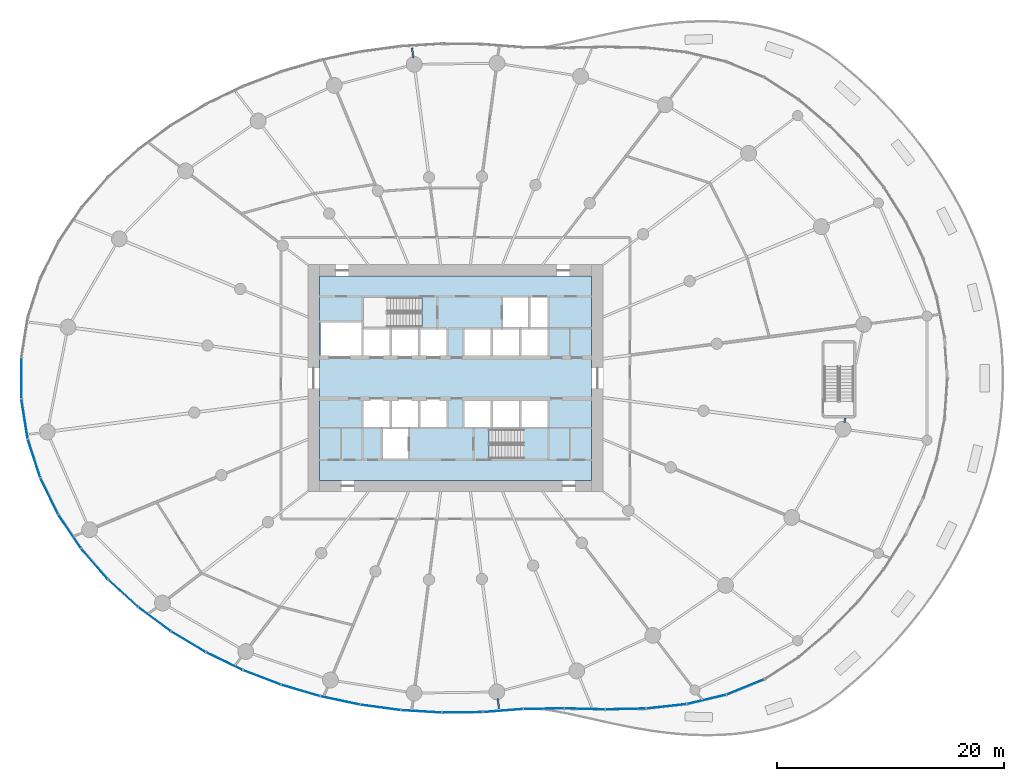
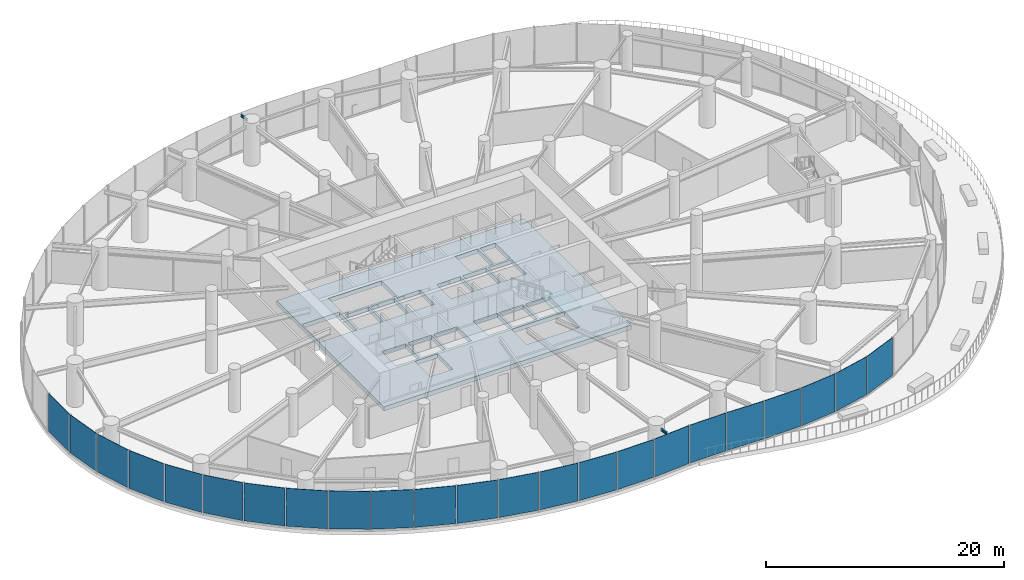
# One storey, part 8 of 19: 23 plates, 3 beams, 2 slabs, 5 elements without a shape of their own.
"""IFC4 building model written with IfcOpenShell, lengths in metres."""

from ifc_helpers import new_model, si_unit, direction, frame, origin, origin_2d, place, context, subcontext, project, spatial, line, indexed_curve, rectangle, i_section, outline, extrude, source, transform, mapped, material, layer, layer_set, material_profile, profile_set, type_object, element, aggregate, save


model = new_model("IFC4")

# Units and contexts
model_context = context("Model", 3, precision=1e-05, world=origin(), true_north=direction((0.0, 1.0)))
body_context = subcontext(model_context, "Body", "Model", "MODEL_VIEW")
ifc_project = project(units=[si_unit("LENGTHUNIT", "METRE"), si_unit("AREAUNIT", "SQUARE_METRE"), si_unit("VOLUMEUNIT", "CUBIC_METRE"), si_unit("PLANEANGLEUNIT", "RADIAN"), si_unit("MASSUNIT", "GRAM", prefix="KILO")], contexts=[model_context])

# Site, building, storey
site_placement = place(None, origin())
site = spatial("IfcSite", under=ifc_project, at=site_placement, CompositionType="ELEMENT")
building_placement = place(site_placement, origin())
building = spatial("IfcBuilding", under=site, at=building_placement, Name="Spindrift Exchange Tower", CompositionType="ELEMENT")
storey_placement = place(building_placement, frame((0.0, 0.0, 13.800048828125)))
storey = spatial("IfcBuildingStorey", under=building, at=storey_placement, Name="L03", CompositionType="ELEMENT", Elevation=13.800048828125)

# Beams
ifc_material_1 = material(Name="Steel Grade 300", Category="steel")
ifc_material_profile_1 = material_profile(ifc_material_1, i_section(OverallWidth=0.14599609375, OverallDepth=0.251953125, WebThickness=0.006103515625, FlangeThickness=0.008544921875, FilletRadius=0.011962890625, at=origin_2d()), Name="250UB31.4")
ifc_profile_set_1 = profile_set([ifc_material_profile_1], Name="Steel Grade 300")
beam_type_1 = type_object("IfcBeamType", Name="Cantilever Beam 250UB31.4 Steel Grade 300", PredefinedType="BEAM", material=ifc_profile_set_1)
shared_shape_1 = source(origin(), body_context, "Body", "SweptSolid", [
    extrude(i_section(OverallWidth=0.14599609375, OverallDepth=0.251953125, WebThickness=0.006103515625, FlangeThickness=0.008544921875, FilletRadius=0.011962890625, at=origin_2d()), origin(), (0.0, 0.0, 1.0), 0.892333984375),
])
for number, where, z_axis, x_axis, name in (
    (1, (48.28271484375, 76.236328125, 3.924072265625), (-0.13049697393, 0.991448707597, 0.0), (-0.991448707597, -0.13049697393, 0.0), "L03 cantilever beam R07T"),
    (2, (55.71728515625, 19.763671875, 3.924072265625), (0.13049697393, -0.991448707597, 0.0), (0.991448707597, 0.13049697393, 0.0), "L03 cantilever beam R19T"),
):
    element("IfcBeam", number, at=place(storey_placement, frame(where, z_axis=z_axis, x_axis=x_axis)), inside=storey, type_object=beam_type_1, Name=name, PredefinedType="BEAM", context=body_context, shape_type="MappedRepresentation", body=[
        mapped(shared_shape_1, transform((0.0, 0.0, 0.0), scale=1.0)),
    ])
ifc_material_profile_2 = material_profile(ifc_material_1, i_section(OverallWidth=0.14599609375, OverallDepth=0.251953125, WebThickness=0.006103515625, FlangeThickness=0.008544921875, FilletRadius=0.011962890625, at=origin_2d()), Name="250UB31.4")
ifc_profile_set_2 = profile_set([ifc_material_profile_2], Name="Steel Grade 300")
beam_type_2 = type_object("IfcBeamType", Name="Edge Beam 250UB31.4 Steel Grade 300", PredefinedType="SPANDREL", material=ifc_profile_set_2)
shared_shape_2 = source(origin(), body_context, "Body", "SweptSolid", [
    extrude(i_section(OverallWidth=0.14599609375, OverallDepth=0.251953125, WebThickness=0.006103515625, FlangeThickness=0.008544921875, FilletRadius=0.011962890625, at=origin_2d()), origin(), (0.0, 0.0, 1.0), 0.4169921875),
])
beam_placement = place(storey_placement, frame((86.27392578125, 44.071533203125, 3.924072265625), z_axis=(0.194426549489, 0.9809170795, 0.0), x_axis=(-0.9809170795, 0.194426549489, 0.0)))
element("IfcBeam", 3, at=beam_placement, inside=storey, type_object=beam_type_2, Name="L03 edge beam E24a", PredefinedType="SPANDREL", context=body_context, shape_type="MappedRepresentation", body=[
    mapped(shared_shape_2, transform((0.0, 0.0, 0.0), scale=1.0)),
])

# Slab
ifc_material_2 = material(Name="Concrete 50 MPa", Category="concrete")
ifc_layer_1 = layer(ifc_material_2, 0.449951171875)
ifc_layer_set_1 = layer_set([ifc_layer_1], Name="SL-CORE-FLOOR-450")
slab_type_1 = type_object("IfcSlabType", Name="SL-CORE-FLOOR-450", PredefinedType="FLOOR", material=ifc_layer_set_1)
slab_1_placement = place(storey_placement, frame((0.0, 0.0, -0.449951171875)))
element("IfcSlab", 4, at=slab_1_placement, inside=storey, type_object=slab_type_1, Name="L03 Core floor slab", PredefinedType="FLOOR", context=body_context, shape_type="SweptSolid", body=[
    extrude(outline(indexed_curve([(40.0, 39.0), (40.0, 57.0), (64.0, 57.0), (64.0, 39.0)], segments=[line(1, 2, 3, 4, 1)], self_intersect=False), holes=[indexed_curve([(47.800048828125, 43.5), (45.60009765625, 43.5), (45.60009765625, 40.89990234375), (47.800048828125, 40.89990234375)], segments=[line(1, 2, 3, 4, 1)], self_intersect=False), indexed_curve([(46.199951171875, 46.10009765625), (43.89990234375, 46.10009765625), (43.89990234375, 43.699951171875), (46.199951171875, 43.699951171875)], segments=[line(1, 2, 3, 4, 1)], self_intersect=False), indexed_curve([(48.699951171875, 46.10009765625), (46.39990234375, 46.10009765625), (46.39990234375, 43.699951171875), (48.699951171875, 43.699951171875)], segments=[line(1, 2, 3, 4, 1)], self_intersect=False), indexed_curve([(51.199951171875, 46.10009765625), (48.89990234375, 46.10009765625), (48.89990234375, 43.699951171875), (51.199951171875, 43.699951171875)], segments=[line(1, 2, 3, 4, 1)], self_intersect=False), indexed_curve([(46.199951171875, 52.300048828125), (43.89990234375, 52.300048828125), (43.89990234375, 49.89990234375), (46.199951171875, 49.89990234375)], segments=[line(1, 2, 3, 4, 1)], self_intersect=False), indexed_curve([(48.699951171875, 52.300048828125), (46.39990234375, 52.300048828125), (46.39990234375, 49.89990234375), (48.699951171875, 49.89990234375)], segments=[line(1, 2, 3, 4, 1)], self_intersect=False), indexed_curve([(51.199951171875, 52.300048828125), (48.89990234375, 52.300048828125), (48.89990234375, 49.89990234375), (51.199951171875, 49.89990234375)], segments=[line(1, 2, 3, 4, 1)], self_intersect=False), indexed_curve([(55.10009765625, 49.89990234375), (55.10009765625, 52.300048828125), (52.800048828125, 52.300048828125), (52.800048828125, 49.89990234375)], segments=[line(1, 2, 3, 4, 1)], self_intersect=False), indexed_curve([(43.699951171875, 49.89990234375), (43.699951171875, 52.89990234375), (40.10009765625, 52.89990234375), (40.10009765625, 49.89990234375)], segments=[line(1, 2, 3, 4, 1)], self_intersect=False), indexed_curve([(43.906005859375, 55.093994140625), (43.906005859375, 52.506103515625), (49.0439453125, 52.506103515625), (49.0439453125, 55.093994140625)], segments=[line(1, 2, 3, 4, 1)], self_intersect=False), indexed_curve([(60.093994140625, 40.906005859375), (60.093994140625, 43.493896484375), (54.9560546875, 43.493896484375), (54.9560546875, 40.906005859375)], segments=[line(1, 2, 3, 4, 1)], self_intersect=False), indexed_curve([(55.10009765625, 46.10009765625), (52.800048828125, 46.10009765625), (52.800048828125, 43.699951171875), (55.10009765625, 43.699951171875)], segments=[line(1, 2, 3, 4, 1)], self_intersect=False), indexed_curve([(57.60009765625, 43.699951171875), (57.60009765625, 46.10009765625), (55.300048828125, 46.10009765625), (55.300048828125, 43.699951171875)], segments=[line(1, 2, 3, 4, 1)], self_intersect=False), indexed_curve([(60.10009765625, 43.699951171875), (60.10009765625, 46.10009765625), (57.800048828125, 46.10009765625), (57.800048828125, 43.699951171875)], segments=[line(1, 2, 3, 4, 1)], self_intersect=False), indexed_curve([(57.60009765625, 52.300048828125), (55.300048828125, 52.300048828125), (55.300048828125, 49.89990234375), (57.60009765625, 49.89990234375)], segments=[line(1, 2, 3, 4, 1)], self_intersect=False), indexed_curve([(60.10009765625, 52.300048828125), (57.800048828125, 52.300048828125), (57.800048828125, 49.89990234375), (60.10009765625, 49.89990234375)], segments=[line(1, 2, 3, 4, 1)], self_intersect=False), indexed_curve([(58.39990234375, 52.5), (58.39990234375, 55.10009765625), (56.199951171875, 55.10009765625), (56.199951171875, 52.5)], segments=[line(1, 2, 3, 4, 1)], self_intersect=False), indexed_curve([(60.10009765625, 52.5), (60.10009765625, 55.10009765625), (58.60009765625, 55.10009765625), (58.60009765625, 52.5)], segments=[line(1, 2, 3, 4, 1)], self_intersect=False)]), origin(), (0.0, 0.0, 1.0), 0.449951171875),
])

# Stair, slab
stair_type = type_object("IfcStairType", Name="ST-1250-R183", PredefinedType="HALF_TURN_STAIR", material=ifc_material_2)
stair_placement = place(storey_placement, origin())
stair = element("IfcStair", 5, at=stair_placement, inside=storey, type_object=stair_type, Name="L03 Exit stair ST2", PredefinedType="HALF_TURN_STAIR")
ifc_layer_2 = layer(ifc_material_2, 0.199951171875)
ifc_layer_set_2 = layer_set([ifc_layer_2], Name="SL-LANDING")
slab_type_2 = type_object("IfcSlabType", Name="SL-LANDING", PredefinedType="LANDING", material=ifc_layer_set_2)
slab_2_placement = place(storey_placement, frame((0.0, 0.0, 2.0)))
slab_2 = element("IfcSlab", 6, at=slab_2_placement, type_object=slab_type_2, Name="ST2 landing 1", PredefinedType="LANDING", context=body_context, shape_type="SweptSolid", body=[
    extrude(outline(indexed_curve([(57.949951171875, 43.60009765625), (60.199951171875, 43.60009765625), (60.199951171875, 40.800048828125), (57.949951171875, 40.800048828125)], segments=[line(1, 2, 3, 4, 1)], self_intersect=False)), origin(), (0.0, 0.0, 1.0), 0.199951171875),
])
aggregate(stair, [slab_2])

# Curtain wall, plate
ifc_material_3 = material(Name="Fritted laminated glass with bronze frame", Category="glass")
ifc_layer_3 = layer(ifc_material_3, 0.219970703125)
ifc_layer_set_3 = layer_set([ifc_layer_3], Name="PODIUM BRONZE GLAZED WALL")
curtain_wall_type = type_object("IfcCurtainWallType", Name="PODIUM BRONZE GLAZED WALL", PredefinedType="NOTDEFINED", material=ifc_layer_set_3)
curtain_wall_1_placement = place(storey_placement, origin())
curtain_wall_1 = element("IfcCurtainWall", 7, at=curtain_wall_1_placement, inside=storey, type_object=curtain_wall_type, Name="L03 Podium Bronze Glazed Wall run 7", PredefinedType="NOTDEFINED")
ifc_material_4 = material(Name="Bronze fritted laminated glass, dense frit", Category="glass")
ifc_layer_4 = layer(ifc_material_4, 0.0400390625)
ifc_layer_set_4 = layer_set([ifc_layer_4], Name="PODIUM BRONZE GLAZED WALL PANEL DENSE FRIT 420")
plate_type_1 = type_object("IfcPlateType", Name="PODIUM BRONZE GLAZED WALL PANEL DENSE FRIT 420", PredefinedType="CURTAIN_PANEL", material=ifc_layer_set_4)
shared_shape_3 = source(origin(), body_context, "Body", "SweptSolid", [
    extrude(rectangle(XDim=3.515380859375, YDim=0.0400390625, at=origin_2d()), origin(), (0.0, 0.0, 1.0), 3.889892578125),
])
plate_1_placement = place(storey_placement, frame((28.460205078125, 24.76123046875, 0.16015625), z_axis=(0.0, 0.0, 1.0), x_axis=(0.857710663907, -0.514132684257, 0.0)))
plate_1 = element("IfcPlate", 8, at=plate_1_placement, type_object=plate_type_1, Name="L03 panel CW-P.40", PredefinedType="CURTAIN_PANEL", context=body_context, shape_type="MappedRepresentation", body=[
    mapped(shared_shape_3, transform((0.0, 0.0, 0.0), scale=1.0)),
])

curtain_wall_2_placement = place(storey_placement, origin())
curtain_wall_2 = element("IfcCurtainWall", 9, at=curtain_wall_2_placement, inside=storey, type_object=curtain_wall_type, Name="L03 Podium Bronze Glazed Wall run 8", PredefinedType="NOTDEFINED")
shared_shape_4 = source(origin(), body_context, "Body", "SweptSolid", [
    extrude(rectangle(XDim=3.515869140625, YDim=0.0400390625, at=origin_2d()), origin(), (0.0, 0.0, 1.0), 3.889892578125),
])
plate_2_placement = place(storey_placement, frame((48.98046875, 18.625, 0.16015625), z_axis=(0.0, 0.0, 1.0), x_axis=(0.998153822126, -0.06073670534, 0.0)))
plate_2 = element("IfcPlate", 10, at=plate_2_placement, type_object=plate_type_1, Name="L03 panel CW-P.46", PredefinedType="CURTAIN_PANEL", context=body_context, shape_type="MappedRepresentation", body=[
    mapped(shared_shape_4, transform((0.0, 0.0, 0.0), scale=1.0)),
])

# Curtain wall, plates
curtain_wall_3_placement = place(storey_placement, origin())
curtain_wall_3 = element("IfcCurtainWall", 11, at=curtain_wall_3_placement, inside=storey, type_object=curtain_wall_type, Name="L03 Podium Bronze Glazed Wall run 9", PredefinedType="NOTDEFINED")
ifc_layer_5 = layer(ifc_material_4, 0.0400390625)
ifc_layer_set_5 = layer_set([ifc_layer_5], Name="PODIUM BRONZE GLAZED WALL PANEL DENSE FRIT 180")
plate_type_2 = type_object("IfcPlateType", Name="PODIUM BRONZE GLAZED WALL PANEL DENSE FRIT 180", PredefinedType="CURTAIN_PANEL", material=ifc_layer_set_5)
shared_shape_5 = source(origin(), body_context, "Body", "SweptSolid", [
    extrude(rectangle(XDim=3.5166015625, YDim=0.0400390625, at=origin_2d()), origin(), (0.0, 0.0, 1.0), 3.889892578125),
])
plate_3_placement = place(storey_placement, frame((63.388671875, 18.8427734375, 0.16015625), z_axis=(0.0, 0.0, 1.0), x_axis=(0.999751480441, -0.022292988933, 0.0)))
plate_3 = element("IfcPlate", 12, at=plate_3_placement, type_object=plate_type_2, Name="L03 panel CW-P.50", PredefinedType="CURTAIN_PANEL", context=body_context, shape_type="MappedRepresentation", body=[
    mapped(shared_shape_5, transform((0.0, 0.0, 0.0), scale=1.0)),
])
shared_shape_6 = source(origin(), body_context, "Body", "SweptSolid", [
    extrude(rectangle(XDim=3.515869140625, YDim=0.0400390625, at=origin_2d()), origin(), (0.0, 0.0, 1.0), 3.889892578125),
])
plate_4_placement = place(storey_placement, frame((66.994140625, 18.837890625, 0.16015625), z_axis=(0.0, 0.0, 1.0), x_axis=(0.999808301304, 0.019579597654, 0.0)))
plate_4 = element("IfcPlate", 13, at=plate_4_placement, type_object=plate_type_2, Name="L03 panel CW-P.51", PredefinedType="CURTAIN_PANEL", context=body_context, shape_type="MappedRepresentation", body=[
    mapped(shared_shape_6, transform((0.0, 0.0, 0.0), scale=1.0)),
])

# Plate
shared_shape_7 = source(origin(), body_context, "Body", "SweptSolid", [
    extrude(rectangle(XDim=3.515625, YDim=0.0400390625, at=origin_2d()), origin(), (0.0, 0.0, 1.0), 3.889892578125),
])
plate_5_placement = place(storey_placement, frame((41.843505859375, 19.58837890625, 0.16015625), z_axis=(0.0, 0.0, 1.0), x_axis=(0.978380312938, -0.206813837196, 0.0)))
plate_5 = element("IfcPlate", 14, at=plate_5_placement, type_object=plate_type_1, Name="L03 panel CW-P.44", PredefinedType="CURTAIN_PANEL", context=body_context, shape_type="MappedRepresentation", body=[
    mapped(shared_shape_7, transform((0.0, 0.0, 0.0), scale=1.0)),
])

plate_6_placement = place(storey_placement, frame((52.582763671875, 18.53662109375, 0.16015625), z_axis=(0.0, 0.0, 1.0), x_axis=(0.999931179666, 0.011731834095, 0.0)))
plate_6 = element("IfcPlate", 15, at=plate_6_placement, type_object=plate_type_1, Name="L03 panel CW-P.47", PredefinedType="CURTAIN_PANEL", context=body_context, shape_type="MappedRepresentation", body=[
    mapped(shared_shape_7, transform((0.0, 0.0, 0.0), scale=1.0)),
])

shared_shape_8 = source(origin(), body_context, "Body", "SweptSolid", [
    extrude(rectangle(XDim=3.515625, YDim=0.0400390625, at=origin_2d()), origin(), (0.0, 0.0, 1.0), 3.889892578125),
])
plate_7_placement = place(storey_placement, frame((38.349853515625, 20.46923828125, 0.16015625), z_axis=(0.0, 0.0, 1.0), x_axis=(0.959495119257, -0.281725249352, 0.0)))
plate_7 = element("IfcPlate", 16, at=plate_7_placement, type_object=plate_type_2, Name="L03 panel CW-P.43", PredefinedType="CURTAIN_PANEL", context=body_context, shape_type="MappedRepresentation", body=[
    mapped(shared_shape_8, transform((0.0, 0.0, 0.0), scale=1.0)),
])

plate_8_placement = place(storey_placement, frame((45.39404296875, 18.97509765625, 0.16015625), z_axis=(0.0, 0.0, 1.0), x_axis=(0.991058808668, -0.133425776228, 0.0)))
plate_8 = element("IfcPlate", 17, at=plate_8_placement, type_object=plate_type_2, Name="L03 panel CW-P.45", PredefinedType="CURTAIN_PANEL", context=body_context, shape_type="MappedRepresentation", body=[
    mapped(shared_shape_8, transform((0.0, 0.0, 0.0), scale=1.0)),
])

ifc_layer_6 = layer(ifc_material_4, 0.0400390625)
ifc_layer_set_6 = layer_set([ifc_layer_6], Name="PODIUM BRONZE GLAZED WALL PANEL DENSE FRIT 300")
plate_type_3 = type_object("IfcPlateType", Name="PODIUM BRONZE GLAZED WALL PANEL DENSE FRIT 300", PredefinedType="CURTAIN_PANEL", material=ifc_layer_set_6)
shared_shape_9 = source(origin(), body_context, "Body", "SweptSolid", [
    extrude(rectangle(XDim=3.515380859375, YDim=0.0400390625, at=origin_2d()), origin(), (0.0, 0.0, 1.0), 3.889892578125),
])
plate_9_placement = place(storey_placement, frame((31.629638671875, 23.0498046875, 0.16015625), z_axis=(0.0, 0.0, 1.0), x_axis=(0.900343077888, -0.435180815408, 0.0)))
plate_9 = element("IfcPlate", 18, at=plate_9_placement, type_object=plate_type_3, Name="L03 panel CW-P.41", PredefinedType="CURTAIN_PANEL", context=body_context, shape_type="MappedRepresentation", body=[
    mapped(shared_shape_9, transform((0.0, 0.0, 0.0), scale=1.0)),
])

plate_10_placement = place(storey_placement, frame((59.783203125, 18.859619140625, 0.16015625), z_axis=(0.0, 0.0, 1.0), x_axis=(0.999916461609, 0.012925548502, 0.0)))
plate_10 = element("IfcPlate", 19, at=plate_10_placement, type_object=plate_type_3, Name="L03 panel CW-P.49", PredefinedType="CURTAIN_PANEL", context=body_context, shape_type="MappedRepresentation", body=[
    mapped(shared_shape_9, transform((0.0, 0.0, 0.0), scale=1.0)),
])

shared_shape_10 = source(origin(), body_context, "Body", "SweptSolid", [
    extrude(rectangle(XDim=3.515380859375, YDim=0.0400390625, at=origin_2d()), origin(), (0.0, 0.0, 1.0), 3.889892578125),
])
plate_11_placement = place(storey_placement, frame((34.936279296875, 21.62109375, 0.16015625), z_axis=(0.0, 0.0, 1.0), x_axis=(0.933984510313, -0.3573134961, 0.0)))
plate_11 = element("IfcPlate", 20, at=plate_11_placement, type_object=plate_type_2, Name="L03 panel CW-P.42", PredefinedType="CURTAIN_PANEL", context=body_context, shape_type="MappedRepresentation", body=[
    mapped(shared_shape_10, transform((0.0, 0.0, 0.0), scale=1.0)),
])

shared_shape_11 = source(origin(), body_context, "Body", "SweptSolid", [
    extrude(rectangle(XDim=3.514892578125, YDim=0.0400390625, at=origin_2d()), origin(), (0.0, 0.0, 1.0), 3.889892578125),
])
plate_12_placement = place(storey_placement, frame((22.685302734375, 29.04736328125, 0.16015625), z_axis=(0.0, 0.0, 1.0), x_axis=(0.737798291666, -0.675021244713, 0.0)))
plate_12 = element("IfcPlate", 21, at=plate_12_placement, type_object=plate_type_3, Name="L03 panel CW-P.38", PredefinedType="CURTAIN_PANEL", context=body_context, shape_type="MappedRepresentation", body=[
    mapped(shared_shape_11, transform((0.0, 0.0, 0.0), scale=1.0)),
])

plate_13_placement = place(storey_placement, frame((25.464599609375, 26.759521484375, 0.16015625), z_axis=(0.0, 0.0, 1.0), x_axis=(0.804168198895, -0.594401806766, 0.0)))
plate_13 = element("IfcPlate", 22, at=plate_13_placement, type_object=plate_type_3, Name="L03 panel CW-P.39", PredefinedType="CURTAIN_PANEL", context=body_context, shape_type="MappedRepresentation", body=[
    mapped(shared_shape_11, transform((0.0, 0.0, 0.0), scale=1.0)),
])

plate_14_placement = place(storey_placement, frame((70.588134765625, 19.070556640625, 0.16015625), z_axis=(0.0, 0.0, 1.0), x_axis=(0.993984489819, 0.109520929501, 0.0)))
plate_14 = element("IfcPlate", 23, at=plate_14_placement, type_object=plate_type_3, Name="L03 panel CW-P.52", PredefinedType="CURTAIN_PANEL", context=body_context, shape_type="MappedRepresentation", body=[
    mapped(shared_shape_11, transform((0.0, 0.0, 0.0), scale=1.0)),
])

# Curtain wall, plates
curtain_wall_4_placement = place(storey_placement, origin())
curtain_wall_4 = element("IfcCurtainWall", 24, at=curtain_wall_4_placement, inside=storey, type_object=curtain_wall_type, Name="L03 Podium Bronze Glazed Wall run 6", PredefinedType="NOTDEFINED")
shared_shape_12 = source(origin(), body_context, "Body", "SweptSolid", [
    extrude(rectangle(XDim=3.513916015625, YDim=0.0400390625, at=origin_2d()), origin(), (0.0, 0.0, 1.0), 3.889892578125),
])
plate_15_placement = place(storey_placement, frame((17.986083984375, 34.480224609375, 0.16015625), z_axis=(0.0, 0.0, 1.0), x_axis=(0.557949350994, -0.829875003675, 0.0)))
plate_15 = element("IfcPlate", 25, at=plate_15_placement, type_object=plate_type_3, Name="L03 panel CW-P.36", PredefinedType="CURTAIN_PANEL", context=body_context, shape_type="MappedRepresentation", body=[
    mapped(shared_shape_12, transform((0.0, 0.0, 0.0), scale=1.0)),
])
shared_shape_13 = source(origin(), body_context, "Body", "SweptSolid", [
    extrude(rectangle(XDim=3.5126953125, YDim=0.0400390625, at=origin_2d()), origin(), (0.0, 0.0, 1.0), 3.889892578125),
])
plate_16_placement = place(storey_placement, frame((13.7236328125, 48.0, 0.16015625), z_axis=(0.0, 0.0, 1.0), x_axis=(0.0, -1.0, 0.0)))
plate_16 = element("IfcPlate", 26, at=plate_16_placement, type_object=plate_type_3, Name="L03 panel CW-P.32", PredefinedType="CURTAIN_PANEL", context=body_context, shape_type="MappedRepresentation", body=[
    mapped(shared_shape_13, transform((0.0, 0.0, 0.0), scale=1.0)),
])
shared_shape_14 = source(origin(), body_context, "Body", "SweptSolid", [
    extrude(rectangle(XDim=3.5126953125, YDim=0.0400390625, at=origin_2d()), origin(), (0.0, 0.0, 1.0), 3.889892578125),
])
plate_17_placement = place(storey_placement, frame((14.00634765625, 44.419677734375, 0.16015625), z_axis=(0.0, 0.0, 1.0), x_axis=(0.156908503375, -0.98761314368, 0.0)))
plate_17 = element("IfcPlate", 27, at=plate_17_placement, type_object=plate_type_2, Name="L03 panel CW-P.33", PredefinedType="CURTAIN_PANEL", context=body_context, shape_type="MappedRepresentation", body=[
    mapped(shared_shape_14, transform((0.0, 0.0, 0.0), scale=1.0)),
])
shared_shape_15 = source(origin(), body_context, "Body", "SweptSolid", [
    extrude(rectangle(XDim=3.51318359375, YDim=0.0400390625, at=origin_2d()), origin(), (0.0, 0.0, 1.0), 3.889892578125),
])
plate_18_placement = place(storey_placement, frame((14.841552734375, 40.92578125, 0.16015625), z_axis=(0.0, 0.0, 1.0), x_axis=(0.306678914946, -0.951813029501, 0.0)))
plate_18 = element("IfcPlate", 28, at=plate_18_placement, type_object=plate_type_3, Name="L03 panel CW-P.34", PredefinedType="CURTAIN_PANEL", context=body_context, shape_type="MappedRepresentation", body=[
    mapped(shared_shape_15, transform((0.0, 0.0, 0.0), scale=1.0)),
])
shared_shape_16 = source(origin(), body_context, "Body", "SweptSolid", [
    extrude(rectangle(XDim=3.513671875, YDim=0.0400390625, at=origin_2d()), origin(), (0.0, 0.0, 1.0), 3.889892578125),
])
plate_19_placement = place(storey_placement, frame((16.1875, 37.593505859375, 0.16015625), z_axis=(0.0, 0.0, 1.0), x_axis=(0.440340368501, -0.897830919421, 0.0)))
plate_19 = element("IfcPlate", 29, at=plate_19_placement, type_object=plate_type_1, Name="L03 panel CW-P.35", PredefinedType="CURTAIN_PANEL", context=body_context, shape_type="MappedRepresentation", body=[
    mapped(shared_shape_16, transform((0.0, 0.0, 0.0), scale=1.0)),
])
aggregate(curtain_wall_4, [plate_16, plate_17, plate_18, plate_19, plate_15])

# Plate
shared_shape_17 = source(origin(), body_context, "Body", "SweptSolid", [
    extrude(rectangle(XDim=3.514404296875, YDim=0.0400390625, at=origin_2d()), origin(), (0.0, 0.0, 1.0), 3.889892578125),
])
plate_20_placement = place(storey_placement, frame((20.173583984375, 31.62451171875, 0.16015625), z_axis=(0.0, 0.0, 1.0), x_axis=(0.655875916564, -0.754868718435, 0.0)))
plate_20 = element("IfcPlate", 30, at=plate_20_placement, type_object=plate_type_3, Name="L03 panel CW-P.37", PredefinedType="CURTAIN_PANEL", context=body_context, shape_type="MappedRepresentation", body=[
    mapped(shared_shape_17, transform((0.0, 0.0, 0.0), scale=1.0)),
])

aggregate(curtain_wall_1, [plate_20, plate_12, plate_13, plate_1, plate_9, plate_11])

shared_shape_18 = source(origin(), body_context, "Body", "SweptSolid", [
    extrude(rectangle(XDim=3.51611328125, YDim=0.0400390625, at=origin_2d()), origin(), (0.0, 0.0, 1.0), 3.889892578125),
])
plate_21_placement = place(storey_placement, frame((56.18310546875, 18.697021484375, 0.16015625), z_axis=(0.0, 0.0, 1.0), x_axis=(0.997011097303, 0.077258474325, 0.0)))
plate_21 = element("IfcPlate", 31, at=plate_21_placement, type_object=plate_type_3, Name="L03 panel CW-P.48", PredefinedType="CURTAIN_PANEL", context=body_context, shape_type="MappedRepresentation", body=[
    mapped(shared_shape_18, transform((0.0, 0.0, 0.0), scale=1.0)),
])

aggregate(curtain_wall_2, [plate_7, plate_5, plate_8, plate_2, plate_6, plate_21])

shared_shape_19 = source(origin(), body_context, "Body", "SweptSolid", [
    extrude(rectangle(XDim=3.513427734375, YDim=0.0400390625, at=origin_2d()), origin(), (0.0, 0.0, 1.0), 3.889892578125),
])
plate_22_placement = place(storey_placement, frame((74.132568359375, 19.684326171875, 0.16015625), z_axis=(0.0, 0.0, 1.0), x_axis=(0.972933398637, 0.231085702322, 0.0)))
plate_22 = element("IfcPlate", 32, at=plate_22_placement, type_object=plate_type_2, Name="L03 panel CW-P.53", PredefinedType="CURTAIN_PANEL", context=body_context, shape_type="MappedRepresentation", body=[
    mapped(shared_shape_19, transform((0.0, 0.0, 0.0), scale=1.0)),
])

shared_shape_20 = source(origin(), body_context, "Body", "SweptSolid", [
    extrude(rectangle(XDim=3.511962890625, YDim=0.0400390625, at=origin_2d()), origin(), (0.0, 0.0, 1.0), 3.889892578125),
])
plate_23_placement = place(storey_placement, frame((77.552490234375, 20.781982421875, 0.16015625), z_axis=(0.0, 0.0, 1.0), x_axis=(0.925658753953, 0.378359447127, 0.0)))
plate_23 = element("IfcPlate", 33, at=plate_23_placement, type_object=plate_type_3, Name="L03 panel CW-P.54", PredefinedType="CURTAIN_PANEL", context=body_context, shape_type="MappedRepresentation", body=[
    mapped(shared_shape_20, transform((0.0, 0.0, 0.0), scale=1.0)),
])

aggregate(curtain_wall_3, [plate_10, plate_3, plate_4, plate_14, plate_22, plate_23])

save(model, "model.ifc")
